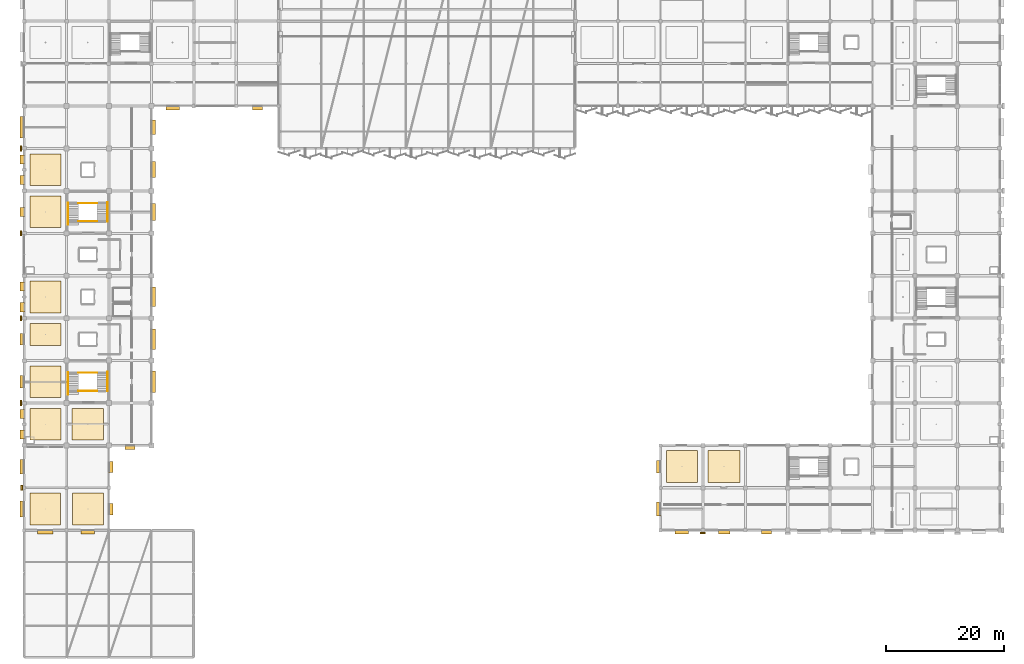
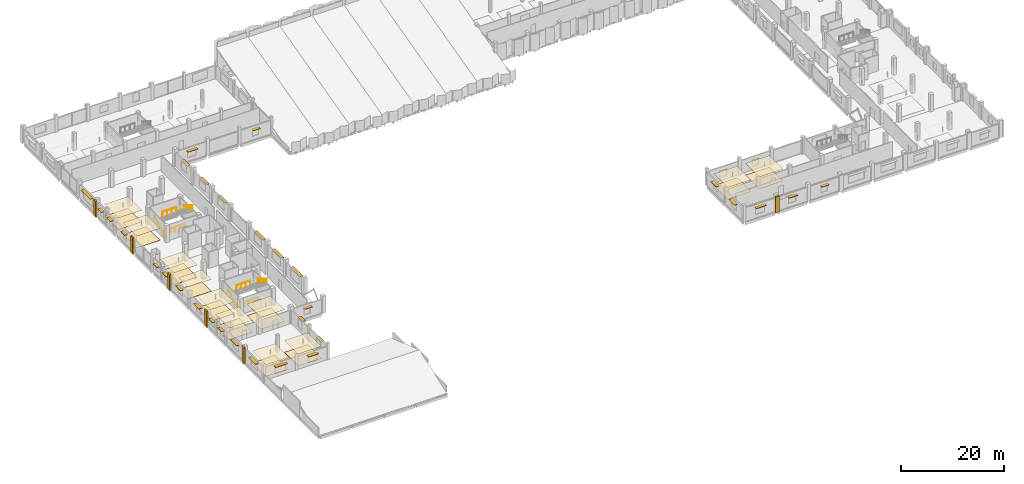
# One storey, part 105 of 108: 30 shading devices, 28 coverings, 8 railings.
"""IFC4 building model written with IfcOpenShell, lengths in metres."""

from ifc_helpers import new_model, si_unit, direction, frame, origin, origin_2d, place, context, subcontext, project, spatial, polyline, rectangle, circle, outline, extrude, material, layer, layer_set, type_object, element, save


model = new_model("IFC4")

# Units and contexts
model_context = context("Model", 3, precision=1e-05, world=origin(), true_north=direction((0.0, 1.0)))
body_context = subcontext(model_context, "Body", "Model", "MODEL_VIEW")
ifc_project = project(units=[si_unit("LENGTHUNIT", "METRE"), si_unit("AREAUNIT", "SQUARE_METRE"), si_unit("VOLUMEUNIT", "CUBIC_METRE"), si_unit("PLANEANGLEUNIT", "RADIAN"), si_unit("MASSUNIT", "GRAM", prefix="KILO")], contexts=[model_context])

# Site, building, storey
site_placement = place(None, origin())
site = spatial("IfcSite", under=ifc_project, at=site_placement, CompositionType="ELEMENT")
building_placement = place(site_placement, origin())
building = spatial("IfcBuilding", under=site, at=building_placement, Name="Kangsadwip Square Police Headquarters", CompositionType="ELEMENT")
storey_placement = place(building_placement, frame((0.0, 0.0, 9.449951171875)))
storey = spatial("IfcBuildingStorey", under=building, at=storey_placement, Name="L02", CompositionType="ELEMENT", Elevation=9.449951171875)

# Railings
ifc_material_1 = material(Name="Structural steel IS 2062 E250 (Grade 250, 250 MPa)", Category="steel")
railing_type_1 = type_object("IfcRailingType", Name="BalustradeGuard1100", PredefinedType="BALUSTRADE", material=ifc_material_1)
for number, where, name in (
    (1, (9.22998046875, 45.239990234375, 0.0), "Stair Guard ST-01 L02-12"),
    (2, (9.22998046875, 48.320068359375, 2.10595703125), "Stair Guard ST-01 L02-13"),
    (3, (9.22998046875, 74.0400390625, 0.0), "Stair Guard ST-02 L02-47"),
    (4, (9.22998046875, 77.1201171875, 2.10595703125), "Stair Guard ST-02 L02-48"),
):
    element("IfcRailing", number, at=place(storey_placement, frame(where)), inside=storey, type_object=railing_type_1, Name=name, PredefinedType="BALUSTRADE", context=body_context, shape_type="SweptSolid", body=[
        extrude(circle(Radius=0.02392578125, at=origin_2d()), frame((0.0, 0.0, 1.09619140625), z_axis=(1.0, 0.0, 0.0), x_axis=(0.0, 1.0, 0.0)), (0.0, 0.0, 1.0), 3.14013671875),
        extrude(circle(Radius=0.02099609375, at=origin_2d()), origin(), (0.0, 0.0, 1.0), 1.072021484375),
        extrude(circle(Radius=0.02099609375, at=origin_2d()), frame((1.046630859375, 0.0, 0.0)), (0.0, 0.0, 1.0), 1.072021484375),
        extrude(circle(Radius=0.02099609375, at=origin_2d()), frame((2.093505859375, 0.0, 0.0)), (0.0, 0.0, 1.0), 1.072021484375),
        extrude(circle(Radius=0.02099609375, at=origin_2d()), frame((3.14013671875, 0.0, 0.0)), (0.0, 0.0, 1.0), 1.072021484375),
    ])

# Coverings
ifc_material_2 = material(Name="Seamless anti-static epoxy and polished Kota stone interior flooring", Category="masonry")
ifc_layer_1 = layer(ifc_material_2, 0.02001953125)
ifc_layer_set_1 = layer_set([ifc_layer_1], Name="Seamless anti-static epoxy and polished Kota stone interior flooring")
covering_type_1 = type_object("IfcCoveringType", Name="InteriorStoneEpoxyFloor", PredefinedType="FLOORING", material=ifc_layer_set_1)
covering_1_placement = place(storey_placement, origin())
element("IfcCovering", 5, at=covering_1_placement, inside=storey, type_object=covering_type_1, Name="Interior Floor Finish L02-092", PredefinedType="FLOORING", context=body_context, shape_type="SweptSolid", body=[
    extrude(outline(polyline([(1.0, 36.89990234375), (6.300048828125, 36.89990234375), (6.300048828125, 42.300048828125), (1.0, 42.300048828125), (1.0, 36.89990234375)])), origin(), (0.0, 0.0, 1.0), 0.02001953125),
])
covering_2_placement = place(storey_placement, origin())
element("IfcCovering", 6, at=covering_2_placement, inside=storey, type_object=covering_type_1, Name="Interior Floor Finish L02-093", PredefinedType="FLOORING", context=body_context, shape_type="SweptSolid", body=[
    extrude(outline(polyline([(8.10009765625, 36.89990234375), (13.5, 36.89990234375), (13.5, 42.300048828125), (8.10009765625, 42.300048828125), (8.10009765625, 36.89990234375)])), origin(), (0.0, 0.0, 1.0), 0.02001953125),
])
covering_3_placement = place(storey_placement, origin())
element("IfcCovering", 7, at=covering_3_placement, inside=storey, type_object=covering_type_1, Name="Interior Floor Finish L02-094", PredefinedType="FLOORING", context=body_context, shape_type="SweptSolid", body=[
    extrude(outline(polyline([(1.0, 44.10009765625), (6.300048828125, 44.10009765625), (6.300048828125, 49.5), (1.0, 49.5), (1.0, 44.10009765625)])), origin(), (0.0, 0.0, 1.0), 0.02001953125),
])
covering_4_placement = place(storey_placement, origin())
element("IfcCovering", 8, at=covering_4_placement, inside=storey, type_object=covering_type_1, Name="Interior Floor Finish L02-095", PredefinedType="FLOORING", context=body_context, shape_type="SweptSolid", body=[
    extrude(outline(polyline([(1.0, 52.949951171875), (6.300048828125, 52.949951171875), (6.300048828125, 56.699951171875), (1.0, 56.699951171875), (1.0, 52.949951171875)])), origin(), (0.0, 0.0, 1.0), 0.02001953125),
])
covering_5_placement = place(storey_placement, origin())
element("IfcCovering", 9, at=covering_5_placement, inside=storey, type_object=covering_type_1, Name="Interior Floor Finish L02-096", PredefinedType="FLOORING", context=body_context, shape_type="SweptSolid", body=[
    extrude(outline(polyline([(1.0, 58.5), (6.300048828125, 58.5), (6.300048828125, 63.89990234375), (1.0, 63.89990234375), (1.0, 58.5)])), origin(), (0.0, 0.0, 1.0), 0.02001953125),
])
covering_6_placement = place(storey_placement, origin())
element("IfcCovering", 10, at=covering_6_placement, inside=storey, type_object=covering_type_1, Name="Interior Floor Finish L02-097", PredefinedType="FLOORING", context=body_context, shape_type="SweptSolid", body=[
    extrude(outline(polyline([(1.0, 72.949951171875), (6.300048828125, 72.949951171875), (6.300048828125, 78.300048828125), (1.0, 78.300048828125), (1.0, 72.949951171875)])), origin(), (0.0, 0.0, 1.0), 0.02001953125),
])
covering_7_placement = place(storey_placement, origin())
element("IfcCovering", 11, at=covering_7_placement, inside=storey, type_object=covering_type_1, Name="Interior Floor Finish L02-098", PredefinedType="FLOORING", context=body_context, shape_type="SweptSolid", body=[
    extrude(outline(polyline([(1.0, 80.10009765625), (6.300048828125, 80.10009765625), (6.300048828125, 85.5), (1.0, 85.5), (1.0, 80.10009765625)])), origin(), (0.0, 0.0, 1.0), 0.02001953125),
])
covering_8_placement = place(storey_placement, origin())
element("IfcCovering", 12, at=covering_8_placement, inside=storey, type_object=covering_type_1, Name="Interior Floor Finish L02-099", PredefinedType="FLOORING", context=body_context, shape_type="SweptSolid", body=[
    extrude(outline(polyline([(1.0, 22.5), (6.14990234375, 22.5), (6.14990234375, 27.89990234375), (1.0, 27.89990234375), (1.0, 22.5)])), origin(), (0.0, 0.0, 1.0), 0.02001953125),
])
covering_9_placement = place(storey_placement, origin())
element("IfcCovering", 13, at=covering_9_placement, inside=storey, type_object=covering_type_1, Name="Interior Floor Finish L02-100", PredefinedType="FLOORING", context=body_context, shape_type="SweptSolid", body=[
    extrude(outline(polyline([(8.199951171875, 22.5), (13.5, 22.5), (13.5, 27.89990234375), (8.199951171875, 27.89990234375), (8.199951171875, 22.5)])), origin(), (0.0, 0.0, 1.0), 0.02001953125),
])
covering_10_placement = place(storey_placement, origin())
element("IfcCovering", 14, at=covering_10_placement, inside=storey, type_object=covering_type_1, Name="Interior Floor Finish L02-107", PredefinedType="FLOORING", context=body_context, shape_type="SweptSolid", body=[
    extrude(outline(polyline([(109.0, 29.699951171875), (114.300048828125, 29.699951171875), (114.300048828125, 35.10009765625), (109.0, 35.10009765625), (109.0, 29.699951171875)])), origin(), (0.0, 0.0, 1.0), 0.02001953125),
])
covering_11_placement = place(storey_placement, origin())
element("IfcCovering", 15, at=covering_11_placement, inside=storey, type_object=covering_type_1, Name="Interior Floor Finish L02-108", PredefinedType="FLOORING", context=body_context, shape_type="SweptSolid", body=[
    extrude(outline(polyline([(116.10009765625, 29.699951171875), (121.5, 29.699951171875), (121.5, 35.10009765625), (116.10009765625, 35.10009765625), (116.10009765625, 29.699951171875)])), origin(), (0.0, 0.0, 1.0), 0.02001953125),
])

# Railings
ifc_material_3 = material(Name="Structural steel IS 2062 E250 (Grade 250, 250 MPa)", Category="steel")
railing_type_2 = type_object("IfcRailingType", Name="StairPitchHandrail900", PredefinedType="HANDRAIL", material=ifc_material_3)
railing_1_placement = place(storey_placement, frame((7.43994140625, 44.639892578125, 0.0)))
element("IfcRailing", 16, at=railing_1_placement, inside=storey, type_object=railing_type_2, Name="Stair Handrail ST-01 L02-14", PredefinedType="HANDRAIL", context=body_context, shape_type="SweptSolid", body=[
    extrude(circle(Radius=0.02392578125, at=origin_2d()), frame((0.0, 0.0, 0.8759765625), z_axis=(0.0, 0.87023930122, 0.492629230367), x_axis=(-1.0, 0.0, 0.0)), (0.0, 0.0, 1.0), 4.27490234375),
    extrude(circle(Radius=0.02099609375, at=origin_2d()), origin(), (0.0, 0.0, 1.0), 0.851806640625),
    extrude(circle(Radius=0.02099609375, at=origin_2d()), frame((0.0, 0.93017578125, 0.5263671875)), (0.0, 0.0, 1.0), 0.851806640625),
    extrude(circle(Radius=0.02099609375, at=origin_2d()), frame((0.0, 1.860107421875, 1.052978515625)), (0.0, 0.0, 1.0), 0.851806640625),
    extrude(circle(Radius=0.02099609375, at=origin_2d()), frame((0.0, 2.7900390625, 1.57958984375)), (0.0, 0.0, 1.0), 0.851806640625),
    extrude(circle(Radius=0.02099609375, at=origin_2d()), frame((0.0, 3.72021484375, 2.10595703125)), (0.0, 0.0, 1.0), 0.851806640625),
])
railing_2_placement = place(storey_placement, frame((14.159912109375, 48.4599609375, 2.10595703125)))
element("IfcRailing", 17, at=railing_2_placement, inside=storey, type_object=railing_type_2, Name="Stair Handrail ST-01 L02-15", PredefinedType="HANDRAIL", context=body_context, shape_type="SweptSolid", body=[
    extrude(circle(Radius=0.02392578125, at=origin_2d()), frame((0.0, 0.0, 0.8759765625), z_axis=(0.0, -0.860248887005, 0.509874349626), x_axis=(1.0, 0.0, 0.0)), (0.0, 0.0, 1.0), 3.81298828125),
    extrude(circle(Radius=0.02099609375, at=origin_2d()), origin(), (0.0, 0.0, 1.0), 0.851806640625),
    extrude(circle(Radius=0.02099609375, at=origin_2d()), frame((0.0, -0.820068359375, 0.486083984375)), (0.0, 0.0, 1.0), 0.851806640625),
    extrude(circle(Radius=0.02099609375, at=origin_2d()), frame((0.0, -1.64013671875, 0.97216796875)), (0.0, 0.0, 1.0), 0.851806640625),
    extrude(circle(Radius=0.02099609375, at=origin_2d()), frame((0.0, -2.4599609375, 1.4580078125)), (0.0, 0.0, 1.0), 0.851806640625),
    extrude(circle(Radius=0.02099609375, at=origin_2d()), frame((0.0, -3.280029296875, 1.944091796875)), (0.0, 0.0, 1.0), 0.851806640625),
])
railing_3_placement = place(storey_placement, frame((7.43994140625, 73.43994140625, 0.0)))
element("IfcRailing", 18, at=railing_3_placement, inside=storey, type_object=railing_type_2, Name="Stair Handrail ST-02 L02-49", PredefinedType="HANDRAIL", context=body_context, shape_type="SweptSolid", body=[
    extrude(circle(Radius=0.02392578125, at=origin_2d()), frame((0.0, 0.0, 0.8759765625), z_axis=(0.0, 0.870225440575, 0.492653714668), x_axis=(-1.0, 0.0, 0.0)), (0.0, 0.0, 1.0), 4.274658203125),
    extrude(circle(Radius=0.02099609375, at=origin_2d()), origin(), (0.0, 0.0, 1.0), 0.851806640625),
    extrude(circle(Radius=0.02099609375, at=origin_2d()), frame((0.0, 0.929931640625, 0.5263671875)), (0.0, 0.0, 1.0), 0.851806640625),
    extrude(circle(Radius=0.02099609375, at=origin_2d()), frame((0.0, 1.85986328125, 1.052978515625)), (0.0, 0.0, 1.0), 0.851806640625),
    extrude(circle(Radius=0.02099609375, at=origin_2d()), frame((0.0, 2.7900390625, 1.57958984375)), (0.0, 0.0, 1.0), 0.851806640625),
    extrude(circle(Radius=0.02099609375, at=origin_2d()), frame((0.0, 3.719970703125, 2.10595703125)), (0.0, 0.0, 1.0), 0.851806640625),
])
railing_4_placement = place(storey_placement, frame((14.159912109375, 77.260009765625, 2.10595703125)))
element("IfcRailing", 19, at=railing_4_placement, inside=storey, type_object=railing_type_2, Name="Stair Handrail ST-02 L02-50", PredefinedType="HANDRAIL", context=body_context, shape_type="SweptSolid", body=[
    extrude(circle(Radius=0.02392578125, at=origin_2d()), frame((0.0, 0.0, 0.8759765625), z_axis=(0.0, -0.860248887005, 0.509874349626), x_axis=(1.0, 0.0, 0.0)), (0.0, 0.0, 1.0), 3.81298828125),
    extrude(circle(Radius=0.02099609375, at=origin_2d()), origin(), (0.0, 0.0, 1.0), 0.851806640625),
    extrude(circle(Radius=0.02099609375, at=origin_2d()), frame((0.0, -0.820068359375, 0.486083984375)), (0.0, 0.0, 1.0), 0.851806640625),
    extrude(circle(Radius=0.02099609375, at=origin_2d()), frame((0.0, -1.64013671875, 0.97216796875)), (0.0, 0.0, 1.0), 0.851806640625),
    extrude(circle(Radius=0.02099609375, at=origin_2d()), frame((0.0, -2.4599609375, 1.4580078125)), (0.0, 0.0, 1.0), 0.851806640625),
    extrude(circle(Radius=0.02099609375, at=origin_2d()), frame((0.0, -3.280029296875, 1.944091796875)), (0.0, 0.0, 1.0), 0.851806640625),
])

# Coverings
ifc_material_4 = material(Name="Perforated mineral-fibre and acoustic baffle suspended ceiling", Category="wood")
ifc_layer_2 = layer(ifc_material_4, 0.02490234375)
ifc_layer_set_2 = layer_set([ifc_layer_2], Name="Perforated mineral-fibre and acoustic baffle suspended ceiling")
covering_type_2 = type_object("IfcCoveringType", Name="SuspendedAcousticCeiling", PredefinedType="CEILING", material=ifc_layer_set_2)
covering_12_placement = place(storey_placement, frame((0.0, 0.0, 2.800048828125)))
element("IfcCovering", 20, at=covering_12_placement, inside=storey, type_object=covering_type_2, Name="Suspended Acoustic Ceiling L02-092", PredefinedType="CEILING", context=body_context, shape_type="SweptSolid", body=[
    extrude(outline(polyline([(1.0, 36.89990234375), (6.300048828125, 36.89990234375), (6.300048828125, 42.300048828125), (1.0, 42.300048828125), (1.0, 36.89990234375)])), origin(), (0.0, 0.0, 1.0), 0.02490234375),
])
covering_13_placement = place(storey_placement, frame((0.0, 0.0, 2.800048828125)))
element("IfcCovering", 21, at=covering_13_placement, inside=storey, type_object=covering_type_2, Name="Suspended Acoustic Ceiling L02-093", PredefinedType="CEILING", context=body_context, shape_type="SweptSolid", body=[
    extrude(outline(polyline([(8.10009765625, 36.89990234375), (13.5, 36.89990234375), (13.5, 42.300048828125), (8.10009765625, 42.300048828125), (8.10009765625, 36.89990234375)])), origin(), (0.0, 0.0, 1.0), 0.02490234375),
])
covering_14_placement = place(storey_placement, frame((0.0, 0.0, 2.800048828125)))
element("IfcCovering", 22, at=covering_14_placement, inside=storey, type_object=covering_type_2, Name="Suspended Acoustic Ceiling L02-094", PredefinedType="CEILING", context=body_context, shape_type="SweptSolid", body=[
    extrude(outline(polyline([(1.0, 44.10009765625), (6.300048828125, 44.10009765625), (6.300048828125, 49.5), (1.0, 49.5), (1.0, 44.10009765625)])), origin(), (0.0, 0.0, 1.0), 0.02490234375),
])
covering_15_placement = place(storey_placement, frame((0.0, 0.0, 2.800048828125)))
element("IfcCovering", 23, at=covering_15_placement, inside=storey, type_object=covering_type_2, Name="Suspended Acoustic Ceiling L02-095", PredefinedType="CEILING", context=body_context, shape_type="SweptSolid", body=[
    extrude(outline(polyline([(1.0, 52.949951171875), (6.300048828125, 52.949951171875), (6.300048828125, 56.699951171875), (1.0, 56.699951171875), (1.0, 52.949951171875)])), origin(), (0.0, 0.0, 1.0), 0.02490234375),
])
covering_16_placement = place(storey_placement, frame((0.0, 0.0, 2.800048828125)))
element("IfcCovering", 24, at=covering_16_placement, inside=storey, type_object=covering_type_2, Name="Suspended Acoustic Ceiling L02-096", PredefinedType="CEILING", context=body_context, shape_type="SweptSolid", body=[
    extrude(outline(polyline([(1.0, 58.5), (6.300048828125, 58.5), (6.300048828125, 63.89990234375), (1.0, 63.89990234375), (1.0, 58.5)])), origin(), (0.0, 0.0, 1.0), 0.02490234375),
])
covering_17_placement = place(storey_placement, frame((0.0, 0.0, 2.800048828125)))
element("IfcCovering", 25, at=covering_17_placement, inside=storey, type_object=covering_type_2, Name="Suspended Acoustic Ceiling L02-097", PredefinedType="CEILING", context=body_context, shape_type="SweptSolid", body=[
    extrude(outline(polyline([(1.0, 72.949951171875), (6.300048828125, 72.949951171875), (6.300048828125, 78.300048828125), (1.0, 78.300048828125), (1.0, 72.949951171875)])), origin(), (0.0, 0.0, 1.0), 0.02490234375),
])
covering_18_placement = place(storey_placement, frame((0.0, 0.0, 2.800048828125)))
element("IfcCovering", 26, at=covering_18_placement, inside=storey, type_object=covering_type_2, Name="Suspended Acoustic Ceiling L02-098", PredefinedType="CEILING", context=body_context, shape_type="SweptSolid", body=[
    extrude(outline(polyline([(1.0, 80.10009765625), (6.300048828125, 80.10009765625), (6.300048828125, 85.5), (1.0, 85.5), (1.0, 80.10009765625)])), origin(), (0.0, 0.0, 1.0), 0.02490234375),
])
covering_19_placement = place(storey_placement, frame((0.0, 0.0, 2.800048828125)))
element("IfcCovering", 27, at=covering_19_placement, inside=storey, type_object=covering_type_2, Name="Suspended Acoustic Ceiling L02-099", PredefinedType="CEILING", context=body_context, shape_type="SweptSolid", body=[
    extrude(outline(polyline([(1.0, 22.5), (6.14990234375, 22.5), (6.14990234375, 27.89990234375), (1.0, 27.89990234375), (1.0, 22.5)])), origin(), (0.0, 0.0, 1.0), 0.02490234375),
])
covering_20_placement = place(storey_placement, frame((0.0, 0.0, 2.800048828125)))
element("IfcCovering", 28, at=covering_20_placement, inside=storey, type_object=covering_type_2, Name="Suspended Acoustic Ceiling L02-100", PredefinedType="CEILING", context=body_context, shape_type="SweptSolid", body=[
    extrude(outline(polyline([(8.199951171875, 22.5), (13.5, 22.5), (13.5, 27.89990234375), (8.199951171875, 27.89990234375), (8.199951171875, 22.5)])), origin(), (0.0, 0.0, 1.0), 0.02490234375),
])
covering_21_placement = place(storey_placement, frame((0.0, 0.0, 2.800048828125)))
element("IfcCovering", 29, at=covering_21_placement, inside=storey, type_object=covering_type_2, Name="Suspended Acoustic Ceiling L02-107", PredefinedType="CEILING", context=body_context, shape_type="SweptSolid", body=[
    extrude(outline(polyline([(109.0, 29.699951171875), (114.300048828125, 29.699951171875), (114.300048828125, 35.10009765625), (109.0, 35.10009765625), (109.0, 29.699951171875)])), origin(), (0.0, 0.0, 1.0), 0.02490234375),
])
covering_22_placement = place(storey_placement, frame((0.0, 0.0, 2.800048828125)))
element("IfcCovering", 30, at=covering_22_placement, inside=storey, type_object=covering_type_2, Name="Suspended Acoustic Ceiling L02-108", PredefinedType="CEILING", context=body_context, shape_type="SweptSolid", body=[
    extrude(outline(polyline([(116.10009765625, 29.699951171875), (121.5, 29.699951171875), (121.5, 35.10009765625), (116.10009765625, 35.10009765625), (116.10009765625, 29.699951171875)])), origin(), (0.0, 0.0, 1.0), 0.02490234375),
])
ifc_material_5 = material(Name="Glazed architectural terracotta masonry rainscreen", Category="masonry")
ifc_layer_3 = layer(ifc_material_5, 0.034912109375)
ifc_layer_set_3 = layer_set([ifc_layer_3], Name="Glazed architectural terracotta masonry rainscreen")
covering_type_3 = type_object("IfcCoveringType", Name="TerracottaPierCladding", PredefinedType="CLADDING", material=ifc_layer_set_3)
covering_23_placement = place(storey_placement, origin())
element("IfcCovering", 31, at=covering_23_placement, inside=storey, type_object=covering_type_3, Name="Terracotta Pier Cladding L02-059", PredefinedType="CLADDING", context=body_context, shape_type="SweptSolid", body=[
    extrude(outline(polyline([(-0.574951171875, 28.360107421875), (-0.2548828125, 28.360107421875), (-0.2548828125, 29.239990234375), (-0.574951171875, 29.239990234375), (-0.574951171875, 28.360107421875)])), origin(), (0.0, 0.0, 1.0), 3.800048828125),
])
covering_24_placement = place(storey_placement, origin())
element("IfcCovering", 32, at=covering_24_placement, inside=storey, type_object=covering_type_3, Name="Terracotta Pier Cladding L02-060", PredefinedType="CLADDING", context=body_context, shape_type="SweptSolid", body=[
    extrude(outline(polyline([(-0.699951171875, 42.760009765625), (-0.3798828125, 42.760009765625), (-0.3798828125, 43.639892578125), (-0.699951171875, 43.639892578125), (-0.699951171875, 42.760009765625)])), origin(), (0.0, 0.0, 1.0), 3.800048828125),
])
covering_25_placement = place(storey_placement, origin())
element("IfcCovering", 33, at=covering_25_placement, inside=storey, type_object=covering_type_3, Name="Terracotta Pier Cladding L02-061", PredefinedType="CLADDING", context=body_context, shape_type="SweptSolid", body=[
    extrude(outline(polyline([(-0.699951171875, 57.159912109375), (-0.3798828125, 57.159912109375), (-0.3798828125, 58.0400390625), (-0.699951171875, 58.0400390625), (-0.699951171875, 57.159912109375)])), origin(), (0.0, 0.0, 1.0), 3.800048828125),
])
covering_26_placement = place(storey_placement, origin())
element("IfcCovering", 34, at=covering_26_placement, inside=storey, type_object=covering_type_3, Name="Terracotta Pier Cladding L02-062", PredefinedType="CLADDING", context=body_context, shape_type="SweptSolid", body=[
    extrude(outline(polyline([(-0.699951171875, 71.56005859375), (-0.3798828125, 71.56005859375), (-0.3798828125, 72.43994140625), (-0.699951171875, 72.43994140625), (-0.699951171875, 71.56005859375)])), origin(), (0.0, 0.0, 1.0), 3.800048828125),
])
covering_27_placement = place(storey_placement, origin())
element("IfcCovering", 35, at=covering_27_placement, inside=storey, type_object=covering_type_3, Name="Terracotta Pier Cladding L02-063", PredefinedType="CLADDING", context=body_context, shape_type="SweptSolid", body=[
    extrude(outline(polyline([(-0.699951171875, 85.9599609375), (-0.3798828125, 85.9599609375), (-0.3798828125, 86.840087890625), (-0.699951171875, 86.840087890625), (-0.699951171875, 85.9599609375)])), origin(), (0.0, 0.0, 1.0), 3.800048828125),
])
covering_28_placement = place(storey_placement, origin())
element("IfcCovering", 36, at=covering_28_placement, inside=storey, type_object=covering_type_3, Name="Terracotta Pier Cladding L02-079", PredefinedType="CLADDING", context=body_context, shape_type="SweptSolid", body=[
    extrude(outline(polyline([(114.760009765625, 20.97509765625), (115.639892578125, 20.97509765625), (115.639892578125, 21.294921875), (114.760009765625, 21.294921875), (114.760009765625, 20.97509765625)])), origin(), (0.0, 0.0, 1.0), 3.800048828125),
])

# Shading devices
ifc_material_6 = material(Name="Architectural terracotta and anodised aluminium AW-6061-T6", Category="aluminium")
shading_device_type = type_object("IfcShadingDeviceType", Name="TerracottaChhajjaAwning", PredefinedType="AWNING", material=ifc_material_6)
shading_device_1_placement = place(storey_placement, frame((3.58740234375, 21.300048828125, 2.615234375), z_axis=(0.0, 0.0, 1.0), x_axis=(1.0, 0.0, 0.0)))
element("IfcShadingDevice", 37, at=shading_device_1_placement, inside=storey, type_object=shading_device_type, Name="Terracotta Chhajja Hood CHJ-L02-0101", PredefinedType="AWNING", context=body_context, shape_type="SweptSolid", body=[
    extrude(rectangle(XDim=2.699951171875, YDim=0.719970703125, at=origin_2d()), origin(), (0.0, 0.0, 1.0), 0.090087890625),
])
for number, where, z_axis, x_axis, name in (
    (38, (10.8125, 21.300048828125, 2.51513671875), (0.0, 0.0, 1.0), (1.0, 0.0, 0.0), "Terracotta Chhajja Hood CHJ-L02-0102"),
    (39, (111.574951171875, 21.300048828125, 2.51513671875), (0.0, 0.0, 1.0), (1.0, 0.0, 0.0), "Terracotta Chhajja Hood CHJ-L02-0103"),
):
    element("IfcShadingDevice", number, at=place(storey_placement, frame(where, z_axis=z_axis, x_axis=x_axis)), inside=storey, type_object=shading_device_type, Name=name, PredefinedType="AWNING", context=body_context, shape_type="SweptSolid", body=[
        extrude(rectangle(XDim=2.300048828125, YDim=0.719970703125, at=origin_2d()), origin(), (0.0, 0.0, 1.0), 0.090087890625),
    ])
shading_device_2_placement = place(storey_placement, frame((118.800048828125, 21.300048828125, 2.4150390625), z_axis=(0.0, 0.0, 1.0), x_axis=(1.0, 0.0, 0.0)))
element("IfcShadingDevice", 40, at=shading_device_2_placement, inside=storey, type_object=shading_device_type, Name="Terracotta Chhajja Hood CHJ-L02-0104", PredefinedType="AWNING", context=body_context, shape_type="SweptSolid", body=[
    extrude(rectangle(XDim=1.949951171875, YDim=0.719970703125, at=origin_2d()), origin(), (0.0, 0.0, 1.0), 0.090087890625),
])
for number, where, z_axis, x_axis, name in (
    (41, (125.987548828125, 21.300048828125, 2.46484375), (0.0, 0.0, 1.0), (1.0, 0.0, 0.0), "Terracotta Chhajja Hood CHJ-L02-0105"),
    (42, (18.0, 35.699951171875, 2.46484375), (0.0, 0.0, 1.0), (1.0, 0.0, 0.0), "Terracotta Chhajja Hood CHJ-L02-0111"),
):
    element("IfcShadingDevice", number, at=place(storey_placement, frame(where, z_axis=z_axis, x_axis=x_axis)), inside=storey, type_object=shading_device_type, Name=name, PredefinedType="AWNING", context=body_context, shape_type="SweptSolid", body=[
        extrude(rectangle(XDim=1.699951171875, YDim=0.719970703125, at=origin_2d()), origin(), (0.0, 0.0, 1.0), 0.090087890625),
    ])
shading_device_3_placement = place(storey_placement, frame((25.25, 93.300048828125, 2.51513671875), z_axis=(0.0, 0.0, 1.0), x_axis=(1.0, 0.0, 0.0)))
element("IfcShadingDevice", 43, at=shading_device_3_placement, inside=storey, type_object=shading_device_type, Name="Terracotta Chhajja Hood CHJ-L02-0112", PredefinedType="AWNING", context=body_context, shape_type="SweptSolid", body=[
    extrude(rectangle(XDim=2.300048828125, YDim=0.719970703125, at=origin_2d()), origin(), (0.0, 0.0, 1.0), 0.090087890625),
])
shading_device_4_placement = place(storey_placement, frame((39.612548828125, 93.300048828125, 2.46484375), z_axis=(0.0, 0.0, 1.0), x_axis=(1.0, 0.0, 0.0)))
element("IfcShadingDevice", 44, at=shading_device_4_placement, inside=storey, type_object=shading_device_type, Name="Terracotta Chhajja Hood CHJ-L02-0113", PredefinedType="AWNING", context=body_context, shape_type="SweptSolid", body=[
    extrude(rectangle(XDim=1.699951171875, YDim=0.719970703125, at=origin_2d()), origin(), (0.0, 0.0, 1.0), 0.090087890625),
])
shading_device_5_placement = place(storey_placement, frame((-0.300048828125, 25.1875, 2.615234375), z_axis=(0.0, 0.0, 1.0), x_axis=(0.0, 1.0, 0.0)))
element("IfcShadingDevice", 45, at=shading_device_5_placement, inside=storey, type_object=shading_device_type, Name="Terracotta Chhajja Hood CHJ-L02-0114", PredefinedType="AWNING", context=body_context, shape_type="SweptSolid", body=[
    extrude(rectangle(XDim=2.699951171875, YDim=0.719970703125, at=origin_2d()), origin(), (0.0, 0.0, 1.0), 0.090087890625),
])
shading_device_6_placement = place(storey_placement, frame((-0.300048828125, 32.387451171875, 2.56494140625), z_axis=(0.0, 0.0, 1.0), x_axis=(0.0, 1.0, 0.0)))
element("IfcShadingDevice", 46, at=shading_device_6_placement, inside=storey, type_object=shading_device_type, Name="Terracotta Chhajja Hood CHJ-L02-0115", PredefinedType="AWNING", context=body_context, shape_type="SweptSolid", body=[
    extrude(rectangle(XDim=2.5, YDim=0.719970703125, at=origin_2d()), origin(), (0.0, 0.0, 1.0), 0.090087890625),
])
for number, where, z_axis, x_axis, name in (
    (47, (-0.300048828125, 37.85009765625, 2.365234375), (0.0, 0.0, 1.0), (0.0, 1.0, 0.0), "Terracotta Chhajja Hood CHJ-L02-0116"),
    (48, (-0.300048828125, 41.35009765625, 2.365234375), (0.0, 0.0, 1.0), (0.0, 1.0, 0.0), "Terracotta Chhajja Hood CHJ-L02-0117"),
):
    element("IfcShadingDevice", number, at=place(storey_placement, frame(where, z_axis=z_axis, x_axis=x_axis)), inside=storey, type_object=shading_device_type, Name=name, PredefinedType="AWNING", context=body_context, shape_type="SweptSolid", body=[
        extrude(rectangle(XDim=1.550048828125, YDim=0.719970703125, at=origin_2d()), origin(), (0.0, 0.0, 1.0), 0.090087890625),
    ])
shading_device_7_placement = place(storey_placement, frame((-0.300048828125, 46.800048828125, 2.46484375), z_axis=(0.0, 0.0, 1.0), x_axis=(0.0, 1.0, 0.0)))
element("IfcShadingDevice", 49, at=shading_device_7_placement, inside=storey, type_object=shading_device_type, Name="Terracotta Chhajja Hood CHJ-L02-0118", PredefinedType="AWNING", context=body_context, shape_type="SweptSolid", body=[
    extrude(rectangle(XDim=2.10009765625, YDim=0.719970703125, at=origin_2d()), origin(), (0.0, 0.0, 1.0), 0.090087890625),
])
shading_device_8_placement = place(storey_placement, frame((-0.300048828125, 54.0, 2.4150390625), z_axis=(0.0, 0.0, 1.0), x_axis=(0.0, 1.0, 0.0)))
element("IfcShadingDevice", 50, at=shading_device_8_placement, inside=storey, type_object=shading_device_type, Name="Terracotta Chhajja Hood CHJ-L02-0119", PredefinedType="AWNING", context=body_context, shape_type="SweptSolid", body=[
    extrude(rectangle(XDim=1.949951171875, YDim=0.719970703125, at=origin_2d()), origin(), (0.0, 0.0, 1.0), 0.090087890625),
])
for number, where, z_axis, x_axis, name in (
    (51, (-0.300048828125, 59.449951171875, 2.365234375), (0.0, 0.0, 1.0), (0.0, 1.0, 0.0), "Terracotta Chhajja Hood CHJ-L02-0120"),
    (52, (-0.300048828125, 62.949951171875, 2.365234375), (0.0, 0.0, 1.0), (0.0, 1.0, 0.0), "Terracotta Chhajja Hood CHJ-L02-0121"),
    (53, (-0.300048828125, 75.60009765625, 2.365234375), (0.0, 0.0, 1.0), (0.0, 1.0, 0.0), "Terracotta Chhajja Hood CHJ-L02-0122"),
    (54, (-0.300048828125, 81.050048828125, 2.365234375), (0.0, 0.0, 1.0), (0.0, 1.0, 0.0), "Terracotta Chhajja Hood CHJ-L02-0123"),
    (55, (-0.300048828125, 84.550048828125, 2.365234375), (0.0, 0.0, 1.0), (0.0, 1.0, 0.0), "Terracotta Chhajja Hood CHJ-L02-0124"),
):
    element("IfcShadingDevice", number, at=place(storey_placement, frame(where, z_axis=z_axis, x_axis=x_axis)), inside=storey, type_object=shading_device_type, Name=name, PredefinedType="AWNING", context=body_context, shape_type="SweptSolid", body=[
        extrude(rectangle(XDim=1.550048828125, YDim=0.719970703125, at=origin_2d()), origin(), (0.0, 0.0, 1.0), 0.090087890625),
    ])
shading_device_9_placement = place(storey_placement, frame((-0.300048828125, 90.0, 2.865234375), z_axis=(0.0, 0.0, 1.0), x_axis=(0.0, 1.0, 0.0)))
element("IfcShadingDevice", 56, at=shading_device_9_placement, inside=storey, type_object=shading_device_type, Name="Terracotta Chhajja Hood CHJ-L02-0125", PredefinedType="AWNING", context=body_context, shape_type="SweptSolid", body=[
    extrude(rectangle(XDim=3.699951171875, YDim=0.719970703125, at=origin_2d()), origin(), (0.0, 0.0, 1.0), 0.090087890625),
])
shading_device_10_placement = place(storey_placement, frame((14.699951171875, 25.1875, 2.4150390625), z_axis=(0.0, 0.0, 1.0), x_axis=(0.0, 1.0, 0.0)))
element("IfcShadingDevice", 57, at=shading_device_10_placement, inside=storey, type_object=shading_device_type, Name="Terracotta Chhajja Hood CHJ-L02-0128", PredefinedType="AWNING", context=body_context, shape_type="SweptSolid", body=[
    extrude(rectangle(XDim=1.949951171875, YDim=0.719970703125, at=origin_2d()), origin(), (0.0, 0.0, 1.0), 0.090087890625),
])
shading_device_11_placement = place(storey_placement, frame((14.699951171875, 32.33740234375, 2.9150390625), z_axis=(0.0, 0.0, 1.0), x_axis=(0.0, 1.0, 0.0)))
element("IfcShadingDevice", 58, at=shading_device_11_placement, inside=storey, type_object=shading_device_type, Name="Terracotta Chhajja Hood CHJ-L02-0129", PredefinedType="AWNING", context=body_context, shape_type="SweptSolid", body=[
    extrude(rectangle(XDim=1.800048828125, YDim=0.719970703125, at=origin_2d()), origin(), (0.0, 0.0, 1.0), 0.090087890625),
])
shading_device_12_placement = place(storey_placement, frame((21.89990234375, 46.800048828125, 2.865234375), z_axis=(0.0, 0.0, 1.0), x_axis=(0.0, 1.0, 0.0)))
element("IfcShadingDevice", 59, at=shading_device_12_placement, inside=storey, type_object=shading_device_type, Name="Terracotta Chhajja Hood CHJ-L02-0130", PredefinedType="AWNING", context=body_context, shape_type="SweptSolid", body=[
    extrude(rectangle(XDim=3.699951171875, YDim=0.719970703125, at=origin_2d()), origin(), (0.0, 0.0, 1.0), 0.090087890625),
])
shading_device_13_placement = place(storey_placement, frame((21.89990234375, 54.0, 2.81494140625), z_axis=(0.0, 0.0, 1.0), x_axis=(0.0, 1.0, 0.0)))
element("IfcShadingDevice", 60, at=shading_device_13_placement, inside=storey, type_object=shading_device_type, Name="Terracotta Chhajja Hood CHJ-L02-0131", PredefinedType="AWNING", context=body_context, shape_type="SweptSolid", body=[
    extrude(rectangle(XDim=3.5, YDim=0.719970703125, at=origin_2d()), origin(), (0.0, 0.0, 1.0), 0.090087890625),
])
shading_device_14_placement = place(storey_placement, frame((21.89990234375, 61.199951171875, 2.76513671875), z_axis=(0.0, 0.0, 1.0), x_axis=(0.0, 1.0, 0.0)))
element("IfcShadingDevice", 61, at=shading_device_14_placement, inside=storey, type_object=shading_device_type, Name="Terracotta Chhajja Hood CHJ-L02-0132", PredefinedType="AWNING", context=body_context, shape_type="SweptSolid", body=[
    extrude(rectangle(XDim=3.300048828125, YDim=0.719970703125, at=origin_2d()), origin(), (0.0, 0.0, 1.0), 0.090087890625),
])
shading_device_15_placement = place(storey_placement, frame((21.89990234375, 75.60009765625, 2.6650390625), z_axis=(0.0, 0.0, 1.0), x_axis=(0.0, 1.0, 0.0)))
element("IfcShadingDevice", 62, at=shading_device_15_placement, inside=storey, type_object=shading_device_type, Name="Terracotta Chhajja Hood CHJ-L02-0133", PredefinedType="AWNING", context=body_context, shape_type="SweptSolid", body=[
    extrude(rectangle(XDim=2.89990234375, YDim=0.719970703125, at=origin_2d()), origin(), (0.0, 0.0, 1.0), 0.090087890625),
])
shading_device_16_placement = place(storey_placement, frame((21.89990234375, 82.800048828125, 2.615234375), z_axis=(0.0, 0.0, 1.0), x_axis=(0.0, 1.0, 0.0)))
element("IfcShadingDevice", 63, at=shading_device_16_placement, inside=storey, type_object=shading_device_type, Name="Terracotta Chhajja Hood CHJ-L02-0134", PredefinedType="AWNING", context=body_context, shape_type="SweptSolid", body=[
    extrude(rectangle(XDim=2.699951171875, YDim=0.719970703125, at=origin_2d()), origin(), (0.0, 0.0, 1.0), 0.090087890625),
])
shading_device_17_placement = place(storey_placement, frame((21.89990234375, 90.0, 2.56494140625), z_axis=(0.0, 0.0, 1.0), x_axis=(0.0, 1.0, 0.0)))
element("IfcShadingDevice", 64, at=shading_device_17_placement, inside=storey, type_object=shading_device_type, Name="Terracotta Chhajja Hood CHJ-L02-0135", PredefinedType="AWNING", context=body_context, shape_type="SweptSolid", body=[
    extrude(rectangle(XDim=2.5, YDim=0.719970703125, at=origin_2d()), origin(), (0.0, 0.0, 1.0), 0.090087890625),
])
shading_device_18_placement = place(storey_placement, frame((107.699951171875, 25.21240234375, 2.51513671875), z_axis=(0.0, 0.0, 1.0), x_axis=(0.0, 1.0, 0.0)))
element("IfcShadingDevice", 65, at=shading_device_18_placement, inside=storey, type_object=shading_device_type, Name="Terracotta Chhajja Hood CHJ-L02-0140", PredefinedType="AWNING", context=body_context, shape_type="SweptSolid", body=[
    extrude(rectangle(XDim=2.300048828125, YDim=0.719970703125, at=origin_2d()), origin(), (0.0, 0.0, 1.0), 0.090087890625),
])
shading_device_19_placement = place(storey_placement, frame((107.699951171875, 32.387451171875, 2.46484375), z_axis=(0.0, 0.0, 1.0), x_axis=(0.0, 1.0, 0.0)))
element("IfcShadingDevice", 66, at=shading_device_19_placement, inside=storey, type_object=shading_device_type, Name="Terracotta Chhajja Hood CHJ-L02-0141", PredefinedType="AWNING", context=body_context, shape_type="SweptSolid", body=[
    extrude(rectangle(XDim=2.10009765625, YDim=0.719970703125, at=origin_2d()), origin(), (0.0, 0.0, 1.0), 0.090087890625),
])

save(model, "model.ifc")
